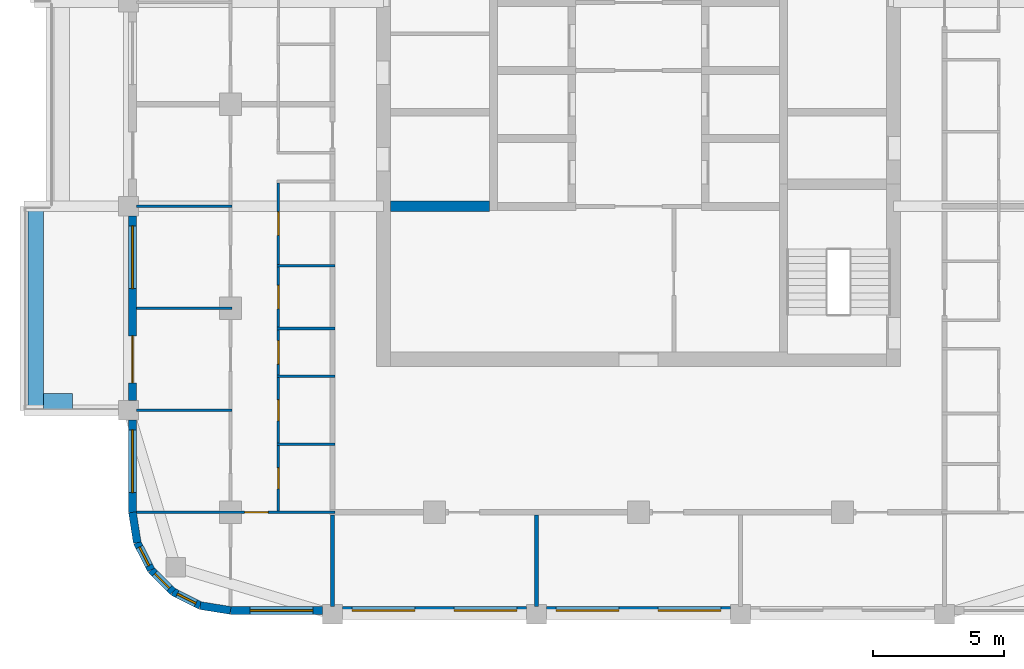
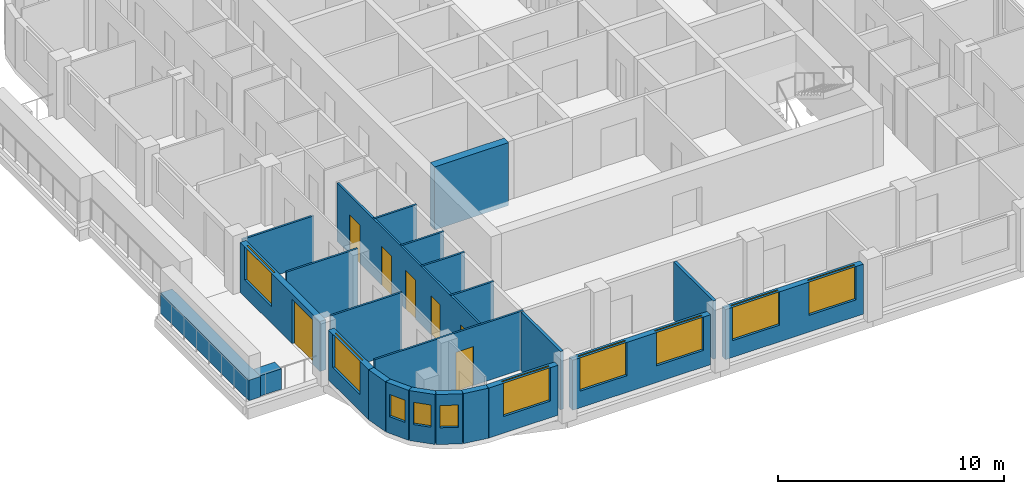
# One storey, part 2 of 13: 24 walls, 10 windows, 7 doors, 17 openings.
"""IFC4 building model written with IfcOpenShell, lengths in metres."""

import ifcopenshell
import ifcopenshell.guid

model = None  # the IFC model being written
_history = None  # IfcOwnerHistory: only IFC2X3 demands one
_inside = {}  # id of a spatial element -> (the spatial element, [elements in it])
_under = {}  # id of a project, library or spatial element -> (it, [spatial elements below it])
_declared = {}  # id of a project -> (the project, [libraries it declares])
_typed = {}  # id of a type object -> (the type object, [elements of that type])
_made_of = {}  # id of a material, layer set ... -> (it, [elements and type objects made of it])


def new_model(schema):
    """Start an empty IFC model of exactly this schema.

    Asked for "IFC4X3", IfcOpenShell would pick the latest addendum, in which some entities
    have other attributes; the version numbers below select the first issue.
    IFC2X3 requires an IfcOwnerHistory on every rooted entity: one is made here for all.
    """
    global model, _history
    if schema == "IFC4X3":
        model = ifcopenshell.file(schema_version=(4, 3, 0, 0))
    else:
        model = ifcopenshell.file(schema=schema)
    _inside.clear()
    _under.clear()
    _declared.clear()
    _typed.clear()
    _made_of.clear()
    _history = None
    if model.schema == "IFC2X3":
        org = make("IfcOrganization", Name="unknown")
        user = make(
            "IfcPersonAndOrganization",
            ThePerson=make("IfcPerson", FamilyName="unknown"),
            TheOrganization=org,
        )
        app = make(
            "IfcApplication",
            ApplicationDeveloper=org,
            Version="unknown",
            ApplicationFullName="unknown",
            ApplicationIdentifier="unknown",
        )
        _history = make(
            "IfcOwnerHistory",
            OwningUser=user,
            OwningApplication=app,
            ChangeAction="ADDED",
            CreationDate=0,
        )
    return model


def make(cls, **values):
    """One entity of the class cls with the attributes given. An attribute that is None is left unset."""
    return model.create_entity(
        cls, **{name: value for name, value in values.items() if value is not None}
    )


def rooted(cls, **values):
    """An entity with a GlobalId (a new one), such as an element, a storey or a relation."""
    return make(cls, GlobalId=ifcopenshell.guid.new(), OwnerHistory=_history, **values)


def si_unit(unit_type, name, prefix=None):
    """IfcSIUnit, for example si_unit("LENGTHUNIT", "METRE", prefix="MILLI")."""
    return make("IfcSIUnit", UnitType=unit_type, Prefix=prefix, Name=name)


def assignment(units):
    """IfcUnitAssignment: the units of a project."""
    return None if units is None else make("IfcUnitAssignment", Units=units)


def point(xyz):
    """IfcCartesianPoint."""
    return None if xyz is None else make("IfcCartesianPoint", Coordinates=xyz)


def direction(xyz):
    """IfcDirection."""
    return None if xyz is None else make("IfcDirection", DirectionRatios=xyz)


def frame(location, z_axis=None, x_axis=None):
    """IfcAxis2Placement3D, a coordinate frame: its origin and axes. An axis left out is left unset."""
    return make(
        "IfcAxis2Placement3D",
        Location=point(location),
        Axis=direction(z_axis),
        RefDirection=direction(x_axis),
    )


def frame_2d(location, x_axis=None):
    """IfcAxis2Placement2D, a coordinate frame in the plane: its origin and x axis."""
    return make(
        "IfcAxis2Placement2D", Location=point(location), RefDirection=direction(x_axis)
    )


def origin():
    """The frame at (0, 0, 0) with its axes left unset."""
    return frame((0.0, 0.0, 0.0))


def place(relative_to, where):
    """IfcLocalPlacement: puts the frame where relative to a parent placement (None: the world)."""
    return make(
        "IfcLocalPlacement", PlacementRelTo=relative_to, RelativePlacement=where
    )


def context(
    kind, dimensions, precision=None, world=None, true_north=None, identifier=None
):
    """IfcGeometricRepresentationContext, for example the 3D "Model" context."""
    return make(
        "IfcGeometricRepresentationContext",
        ContextIdentifier=identifier,
        ContextType=kind,
        CoordinateSpaceDimension=dimensions,
        Precision=precision,
        WorldCoordinateSystem=world,
        TrueNorth=true_north,
    )


def subcontext(parent, identifier, kind, view, scale=None):
    """IfcGeometricRepresentationSubContext, for example "Body" below "Model"."""
    return make(
        "IfcGeometricRepresentationSubContext",
        ContextIdentifier=identifier,
        ContextType=kind,
        ParentContext=parent,
        TargetScale=scale,
        TargetView=view,
    )


def project(units=None, contexts=None):
    """IfcProject with its units and contexts."""
    return rooted(
        "IfcProject",
        Name="project",
        RepresentationContexts=contexts,
        UnitsInContext=assignment(units),
    )


def spatial(cls, under=None, at=None, **own):
    """A site, building, storey or space (cls), placed at a placement, below another one or the project."""
    s = rooted(cls, ObjectPlacement=at, **own)
    if under is not None:
        _under.setdefault(under.id(), (under, []))[1].append(s)
    return s


def profile(cls, at=None, kind="AREA", **sizes):
    """A parametric profile (cls). Its sizes go by their IFC names, for example OverallWidth=200.0."""
    return make(cls, ProfileType=kind, Position=at, **sizes)


def rectangle(**sizes):
    """IfcRectangleProfileDef."""
    return profile("IfcRectangleProfileDef", **sizes)


def extrude(swept, where, along, depth):
    """IfcExtrudedAreaSolid: the profile swept, set in the frame where, extruded along a direction by depth."""
    return make(
        "IfcExtrudedAreaSolid",
        SweptArea=swept,
        Position=where,
        ExtrudedDirection=direction(along),
        Depth=depth,
    )


def shape(context_of_items, identifier, shape_type, items):
    """IfcShapeRepresentation: the items that make up one representation, for example the "Body"."""
    return make(
        "IfcShapeRepresentation",
        ContextOfItems=context_of_items,
        RepresentationIdentifier=identifier,
        RepresentationType=shape_type,
        Items=items,
    )


def material(Name=None, Category=None):
    """IfcMaterial."""
    return make("IfcMaterial", Name=Name, Category=Category)


def layer(
    of_material, thickness, ventilated=None, Name=None, Category=None, Priority=None
):
    """IfcMaterialLayer: one layer of a wall or slab, of a material (None: an air gap)."""
    return make(
        "IfcMaterialLayer",
        Material=of_material,
        LayerThickness=thickness,
        IsVentilated=ventilated,
        Name=Name,
        Category=Category,
        Priority=Priority,
    )


def layer_set(layers, Name=None):
    """IfcMaterialLayerSet."""
    return make("IfcMaterialLayerSet", MaterialLayers=layers, LayerSetName=Name)


def made_of(thing, what):
    """Note that an element or type object is made of a material, layer set ...; save() writes the relation."""
    if what is not None:
        _made_of.setdefault(what.id(), (what, []))[1].append(thing)
    return thing


def type_object(cls, material=None, **own):
    """A type object (cls), such as IfcWallType, which elements share."""
    return made_of(rooted(cls, **own), material)


def element(
    cls,
    number,
    at=None,
    inside=None,
    cuts=None,
    type_object=None,
    material=None,
    context=None,
    identifier="Body",
    shape_type=None,
    held_by="IfcProductDefinitionShape",
    body=None,
    shapes=None,
    **own,
):
    """One element of the class cls, such as IfcWall. Its Tag is "e" and its number.

    at: its placement. inside: the storey or other place that contains it. cuts: it is an
    opening in that element (IfcRelVoidsElement). A single representation is given by context,
    identifier, shape_type and body (its items); several are given by shapes. held_by: the class
    of the entity that holds the representations. save() writes the other relations.
    """
    e = rooted(cls, Tag="e%d" % number, ObjectPlacement=at, **own)
    if body is not None:
        shapes = [shape(context, identifier, shape_type, body)]
    if shapes is not None:
        e.Representation = make(held_by, Representations=shapes)
    if inside is not None:
        _inside.setdefault(inside.id(), (inside, []))[1].append(e)
    if cuts is not None:
        rooted(
            "IfcRelVoidsElement", RelatingBuildingElement=cuts, RelatedOpeningElement=e
        )
    if type_object is not None:
        _typed.setdefault(type_object.id(), (type_object, []))[1].append(e)
    return made_of(e, material)


def fill(opening, filler):
    """IfcRelFillsElement: the door or window that sits in an opening."""
    return rooted(
        "IfcRelFillsElement",
        RelatingOpeningElement=opening,
        RelatedBuildingElement=filler,
    )


def aggregate(whole, parts):
    """IfcRelAggregates: a whole, such as a stair, and the parts it consists of."""
    return rooted("IfcRelAggregates", RelatingObject=whole, RelatedObjects=parts)


def save(model, path):
    """Write the relations noted so far, then the file.

    IfcRelAggregates (storeys below a building ...), IfcRelContainedInSpatialStructure (elements
    in a storey), IfcRelDefinesByType, IfcRelAssociatesMaterial and IfcRelDeclares: one each for
    every whole, place, type object, material and project.
    """
    for whole, parts in _under.values():
        aggregate(whole, parts)
    for where, things in _inside.values():
        rooted(
            "IfcRelContainedInSpatialStructure",
            RelatedElements=things,
            RelatingStructure=where,
        )
    for kind, things in _typed.values():
        rooted("IfcRelDefinesByType", RelatedObjects=things, RelatingType=kind)
    for what, things in _made_of.values():
        rooted("IfcRelAssociatesMaterial", RelatedObjects=things, RelatingMaterial=what)
    for by, libraries in _declared.values():
        rooted("IfcRelDeclares", RelatingContext=by, RelatedDefinitions=libraries)
    model.write(path)


model = new_model("IFC4")

# Units and contexts
model_context = context("Model", 3, precision=1e-05, world=origin(), true_north=direction((0.0, 1.0)))
body_context = subcontext(model_context, "Body", "Model", "MODEL_VIEW")
ifc_project = project(units=[si_unit("LENGTHUNIT", "METRE"), si_unit("AREAUNIT", "SQUARE_METRE"), si_unit("VOLUMEUNIT", "CUBIC_METRE"), si_unit("PLANEANGLEUNIT", "RADIAN"), si_unit("MASSUNIT", "GRAM", prefix="KILO")], contexts=[model_context])

# Site, building, storey
site_placement = place(None, origin())
site = spatial("IfcSite", under=ifc_project, at=site_placement, CompositionType="ELEMENT")
building_placement = place(site_placement, origin())
building = spatial("IfcBuilding", under=site, at=building_placement, Name="Ludao Terraces", CompositionType="ELEMENT")
storey_placement = place(building_placement, frame((0.0, 0.0, 186.0)))
storey = spatial("IfcBuildingStorey", under=building, at=storey_placement, Name="L50", CompositionType="ELEMENT", Elevation=186.0)

# Walls
ifc_material_1 = material(Name="Concrete C40", Category="concrete")
ifc_layer_1 = layer(ifc_material_1, 0.60009765625)
ifc_layer_set_1 = layer_set([ifc_layer_1], Name="ENV Planter trough 600")
wall_type_1 = type_object("IfcWallType", Name="ENV Planter trough 600", PredefinedType="USERDEFINED", material=ifc_layer_set_1)
wall_1_placement = place(storey_placement, frame((61.949951171875, 53.300048828125, 0.0), z_axis=(0.0, 0.0, 1.0), x_axis=(0.0, 1.0, 0.0)))
element("IfcWall", 1, at=wall_1_placement, inside=storey, type_object=wall_type_1, Name="PL-L50-W1", ObjectType="PLANTER", PredefinedType="USERDEFINED", context=body_context, shape_type="SweptSolid", body=[
    extrude(rectangle(XDim=7.800048828125, YDim=0.60009765625, at=frame_2d((3.89990234375, 0.0))), origin(), (0.0, 0.0, 1.0), 1.10009765625),
])
wall_2_placement = place(storey_placement, frame((62.25, 53.64990234375, 0.0), z_axis=(0.0, 0.0, 1.0), x_axis=(1.0, 0.0, 0.0)))
element("IfcWall", 2, at=wall_2_placement, inside=storey, type_object=wall_type_1, Name="PL-L50-W1-SA", ObjectType="PLANTER", PredefinedType="USERDEFINED", context=body_context, shape_type="SweptSolid", body=[
    extrude(rectangle(XDim=1.10009765625, YDim=0.60009765625, at=frame_2d((0.550048828125, 0.0))), origin(), (0.0, 0.0, 1.0), 1.10009765625),
])

# Wall, opening, window
ifc_material_2 = material(Name="Granite cladding", Category="masonry")
ifc_layer_2 = layer(ifc_material_2, 0.0400390625, Category="stone")
ifc_material_3 = material(Name="Mineral wool")
ifc_layer_3 = layer(ifc_material_3, 0.06005859375)
ifc_layer_4 = layer(ifc_material_1, 0.199951171875, Category="concrete")
ifc_layer_set_2 = layer_set([ifc_layer_2, ifc_layer_3, ifc_layer_4], Name="ENV Stone-clad wall 300")
wall_type_2 = type_object("IfcWallType", Name="ENV Stone-clad wall 300", PredefinedType="SOLIDWALL", material=ifc_layer_set_2)
wall_3_placement = place(storey_placement, frame((69.39990234375, 45.64990234375, 0.0), z_axis=(0.0, 0.0, 1.0), x_axis=(1.0, 0.0, 0.0)))
wall_3 = element("IfcWall", 3, at=wall_3_placement, inside=storey, type_object=wall_type_2, Name="EW-L50-S1", PredefinedType="SOLIDWALL", context=body_context, shape_type="SweptSolid", body=[
    extrude(rectangle(XDim=3.525146484375, YDim=0.300048828125, at=frame_2d((1.7626953125, 0.0))), origin(), (0.0, 0.0, 1.0), 2.699951171875),
])
opening_1_placement = place(wall_3_placement, frame((0.75, 0.0, 0.89990234375)))
opening_1 = element("IfcOpeningElement", 4, at=opening_1_placement, cuts=wall_3, Name="Opening W1", PredefinedType="OPENING", context=body_context, shape_type="SweptSolid", body=[
    extrude(rectangle(XDim=2.39990234375, YDim=1.800048828125, at=frame_2d((1.199951171875, 0.89990234375))), frame((0.0, 0.16015625, 0.0), z_axis=(0.0, -1.0, 0.0), x_axis=(1.0, 0.0, 0.0)), (0.0, 0.0, 1.0), 0.320068359375),
])
ifc_material_4 = material(Name="Clear glass in aluminium frame", Category="aluminium")
ifc_layer_5 = layer(ifc_material_4, 0.06005859375)
ifc_layer_set_3 = layer_set([ifc_layer_5], Name="ENV Window W1 2400x1800")
window_type_1 = type_object("IfcWindowType", Name="ENV Window W1 2400x1800", PartitioningType="DOUBLE_PANEL_VERTICAL", PredefinedType="WINDOW", material=ifc_layer_set_3)
window_1_placement = place(opening_1_placement, origin())
window_1 = element("IfcWindow", 5, at=window_1_placement, inside=storey, type_object=window_type_1, Name="W-L50-S1-1", OverallHeight=1.800048828125, OverallWidth=2.39990234375, PartitioningType="DOUBLE_PANEL_VERTICAL", PredefinedType="WINDOW", context=body_context, shape_type="SweptSolid", body=[
    extrude(rectangle(XDim=2.39990234375, YDim=1.800048828125, at=frame_2d((1.199951171875, 0.89990234375))), frame((0.0, 0.030029296875, 0.0), z_axis=(0.0, -1.0, 0.0), x_axis=(1.0, 0.0, 0.0)), (0.0, 0.0, 1.0), 0.06005859375),
])
fill(opening_1, window_1)

# Wall, openings, windows
wall_4_placement = place(storey_placement, frame((73.675048828125, 45.64990234375, 0.0), z_axis=(0.0, 0.0, 1.0), x_axis=(1.0, 0.0, 0.0)))
wall_4 = element("IfcWall", 6, at=wall_4_placement, inside=storey, type_object=wall_type_2, Name="EW-L50-S2", PredefinedType="SOLIDWALL", context=body_context, shape_type="SweptSolid", body=[
    extrude(rectangle(XDim=7.050048828125, YDim=0.300048828125, at=frame_2d((3.52490234375, 0.0))), origin(), (0.0, 0.0, 1.0), 2.699951171875),
])
opening_2_placement = place(wall_4_placement, frame((0.375, 0.0, 0.89990234375)))
opening_2 = element("IfcOpeningElement", 7, at=opening_2_placement, cuts=wall_4, Name="Opening W1", PredefinedType="OPENING", context=body_context, shape_type="SweptSolid", body=[
    extrude(rectangle(XDim=2.39990234375, YDim=1.800048828125, at=frame_2d((1.199951171875, 0.89990234375))), frame((0.0, 0.16015625, 0.0), z_axis=(0.0, -1.0, 0.0), x_axis=(1.0, 0.0, 0.0)), (0.0, 0.0, 1.0), 0.320068359375),
])
opening_3_placement = place(wall_4_placement, frame((4.27490234375, 0.0, 0.89990234375)))
opening_3 = element("IfcOpeningElement", 8, at=opening_3_placement, cuts=wall_4, Name="Opening W1", PredefinedType="OPENING", context=body_context, shape_type="SweptSolid", body=[
    extrude(rectangle(XDim=2.39990234375, YDim=1.800048828125, at=frame_2d((1.199951171875, 0.89990234375))), frame((0.0, 0.16015625, 0.0), z_axis=(0.0, -1.0, 0.0), x_axis=(1.0, 0.0, 0.0)), (0.0, 0.0, 1.0), 0.320068359375),
])
window_2_placement = place(opening_2_placement, origin())
window_2 = element("IfcWindow", 9, at=window_2_placement, inside=storey, type_object=window_type_1, Name="W-L50-S2-1", OverallHeight=1.800048828125, OverallWidth=2.39990234375, PartitioningType="DOUBLE_PANEL_VERTICAL", PredefinedType="WINDOW", context=body_context, shape_type="SweptSolid", body=[
    extrude(rectangle(XDim=2.39990234375, YDim=1.800048828125, at=frame_2d((1.199951171875, 0.89990234375))), frame((0.0, 0.030029296875, 0.0), z_axis=(0.0, -1.0, 0.0), x_axis=(1.0, 0.0, 0.0)), (0.0, 0.0, 1.0), 0.06005859375),
])
fill(opening_2, window_2)
window_3_placement = place(opening_3_placement, origin())
window_3 = element("IfcWindow", 10, at=window_3_placement, inside=storey, type_object=window_type_1, Name="W-L50-S2-2", OverallHeight=1.800048828125, OverallWidth=2.39990234375, PartitioningType="DOUBLE_PANEL_VERTICAL", PredefinedType="WINDOW", context=body_context, shape_type="SweptSolid", body=[
    extrude(rectangle(XDim=2.39990234375, YDim=1.800048828125, at=frame_2d((1.199951171875, 0.89990234375))), frame((0.0, 0.030029296875, 0.0), z_axis=(0.0, -1.0, 0.0), x_axis=(1.0, 0.0, 0.0)), (0.0, 0.0, 1.0), 0.06005859375),
])
fill(opening_3, window_3)

wall_5_placement = place(storey_placement, frame((81.47509765625, 45.64990234375, 0.0), z_axis=(0.0, 0.0, 1.0), x_axis=(1.0, 0.0, 0.0)))
wall_5 = element("IfcWall", 11, at=wall_5_placement, inside=storey, type_object=wall_type_2, Name="EW-L50-S3", PredefinedType="SOLIDWALL", context=body_context, shape_type="SweptSolid", body=[
    extrude(rectangle(XDim=7.0498046875, YDim=0.300048828125, at=frame_2d((3.52490234375, 0.0))), origin(), (0.0, 0.0, 1.0), 2.699951171875),
])
opening_4_placement = place(wall_5_placement, frame((0.375, 0.0, 0.89990234375)))
opening_4 = element("IfcOpeningElement", 12, at=opening_4_placement, cuts=wall_5, Name="Opening W1", PredefinedType="OPENING", context=body_context, shape_type="SweptSolid", body=[
    extrude(rectangle(XDim=2.39990234375, YDim=1.800048828125, at=frame_2d((1.199951171875, 0.89990234375))), frame((0.0, 0.16015625, 0.0), z_axis=(0.0, -1.0, 0.0), x_axis=(1.0, 0.0, 0.0)), (0.0, 0.0, 1.0), 0.320068359375),
])
opening_5_placement = place(wall_5_placement, frame((4.27490234375, 0.0, 0.89990234375)))
opening_5 = element("IfcOpeningElement", 13, at=opening_5_placement, cuts=wall_5, Name="Opening W1", PredefinedType="OPENING", context=body_context, shape_type="SweptSolid", body=[
    extrude(rectangle(XDim=2.39990234375, YDim=1.800048828125, at=frame_2d((1.199951171875, 0.89990234375))), frame((0.0, 0.16015625, 0.0), z_axis=(0.0, -1.0, 0.0), x_axis=(1.0, 0.0, 0.0)), (0.0, 0.0, 1.0), 0.320068359375),
])
window_4_placement = place(opening_4_placement, origin())
window_4 = element("IfcWindow", 14, at=window_4_placement, inside=storey, type_object=window_type_1, Name="W-L50-S3-1", OverallHeight=1.800048828125, OverallWidth=2.39990234375, PartitioningType="DOUBLE_PANEL_VERTICAL", PredefinedType="WINDOW", context=body_context, shape_type="SweptSolid", body=[
    extrude(rectangle(XDim=2.39990234375, YDim=1.800048828125, at=frame_2d((1.199951171875, 0.89990234375))), frame((0.0, 0.030029296875, 0.0), z_axis=(0.0, -1.0, 0.0), x_axis=(1.0, 0.0, 0.0)), (0.0, 0.0, 1.0), 0.06005859375),
])
fill(opening_4, window_4)
window_5_placement = place(opening_5_placement, origin())
window_5 = element("IfcWindow", 15, at=window_5_placement, inside=storey, type_object=window_type_1, Name="W-L50-S3-2", OverallHeight=1.800048828125, OverallWidth=2.39990234375, PartitioningType="DOUBLE_PANEL_VERTICAL", PredefinedType="WINDOW", context=body_context, shape_type="SweptSolid", body=[
    extrude(rectangle(XDim=2.39990234375, YDim=1.800048828125, at=frame_2d((1.199951171875, 0.89990234375))), frame((0.0, 0.030029296875, 0.0), z_axis=(0.0, -1.0, 0.0), x_axis=(1.0, 0.0, 0.0)), (0.0, 0.0, 1.0), 0.06005859375),
])
fill(opening_5, window_5)

# Wall, opening, window
wall_6_placement = place(storey_placement, frame((65.64990234375, 49.39990234375, 0.0), z_axis=(0.0, 0.0, 1.0), x_axis=(0.0, 1.0, 0.0)))
wall_6 = element("IfcWall", 16, at=wall_6_placement, inside=storey, type_object=wall_type_2, Name="EW-L50-W1", PredefinedType="SOLIDWALL", context=body_context, shape_type="SweptSolid", body=[
    extrude(rectangle(XDim=3.525146484375, YDim=0.300048828125, at=frame_2d((1.7626953125, 0.0))), origin(), (0.0, 0.0, 1.0), 2.699951171875),
])
opening_6_placement = place(wall_6_placement, frame((0.75, 0.0, 0.89990234375)))
opening_6 = element("IfcOpeningElement", 17, at=opening_6_placement, cuts=wall_6, Name="Opening W1", PredefinedType="OPENING", context=body_context, shape_type="SweptSolid", body=[
    extrude(rectangle(XDim=2.39990234375, YDim=1.800048828125, at=frame_2d((1.199951171875, 0.89990234375))), frame((0.0, 0.16015625, 0.0), z_axis=(0.0, -1.0, 0.0), x_axis=(1.0, 0.0, 0.0)), (0.0, 0.0, 1.0), 0.320068359375),
])
window_6_placement = place(opening_6_placement, origin())
window_6 = element("IfcWindow", 18, at=window_6_placement, inside=storey, type_object=window_type_1, Name="W-L50-W1-1", OverallHeight=1.800048828125, OverallWidth=2.39990234375, PartitioningType="DOUBLE_PANEL_VERTICAL", PredefinedType="WINDOW", context=body_context, shape_type="SweptSolid", body=[
    extrude(rectangle(XDim=2.39990234375, YDim=1.800048828125, at=frame_2d((1.199951171875, 0.89990234375))), frame((0.0, 0.030029296875, 0.0), z_axis=(0.0, -1.0, 0.0), x_axis=(1.0, 0.0, 0.0)), (0.0, 0.0, 1.0), 0.06005859375),
])
fill(opening_6, window_6)

# Wall, openings, door, window
wall_7_placement = place(storey_placement, frame((65.64990234375, 53.675048828125, 0.0), z_axis=(0.0, 0.0, 1.0), x_axis=(0.0, 1.0, 0.0)))
wall_7 = element("IfcWall", 19, at=wall_7_placement, inside=storey, type_object=wall_type_2, Name="EW-L50-W2", PredefinedType="SOLIDWALL", context=body_context, shape_type="SweptSolid", body=[
    extrude(rectangle(XDim=7.050048828125, YDim=0.300048828125, at=frame_2d((3.52490234375, 0.0))), origin(), (0.0, 0.0, 1.0), 2.699951171875),
])
opening_7_placement = place(wall_7_placement, frame((0.675048828125, 0.0, 0.0)))
opening_7 = element("IfcOpeningElement", 20, at=opening_7_placement, cuts=wall_7, Name="Opening BD", PredefinedType="OPENING", context=body_context, shape_type="SweptSolid", body=[
    extrude(rectangle(XDim=1.800048828125, YDim=2.39990234375, at=frame_2d((0.89990234375, 1.199951171875))), frame((0.0, 0.16015625, 0.0), z_axis=(0.0, -1.0, 0.0), x_axis=(1.0, 0.0, 0.0)), (0.0, 0.0, 1.0), 0.320068359375),
])
opening_8_placement = place(wall_7_placement, frame((4.27490234375, 0.0, 0.89990234375)))
opening_8 = element("IfcOpeningElement", 21, at=opening_8_placement, cuts=wall_7, Name="Opening W1", PredefinedType="OPENING", context=body_context, shape_type="SweptSolid", body=[
    extrude(rectangle(XDim=2.39990234375, YDim=1.800048828125, at=frame_2d((1.199951171875, 0.89990234375))), frame((0.0, 0.16015625, 0.0), z_axis=(0.0, -1.0, 0.0), x_axis=(1.0, 0.0, 0.0)), (0.0, 0.0, 1.0), 0.320068359375),
])
ifc_material_5 = material(Name="Aluminium glazed door", Category="aluminium")
ifc_layer_6 = layer(ifc_material_5, 0.06005859375)
ifc_layer_set_4 = layer_set([ifc_layer_6], Name="ENV Balcony door BD 1800x2400")
door_type_1 = type_object("IfcDoorType", Name="ENV Balcony door BD 1800x2400", OperationType="DOUBLE_DOOR_SINGLE_SWING", PredefinedType="DOOR", material=ifc_layer_set_4)
door_1_placement = place(opening_7_placement, origin())
door_1 = element("IfcDoor", 22, at=door_1_placement, inside=storey, type_object=door_type_1, Name="BD-L50-W2-1", OperationType="DOUBLE_DOOR_SINGLE_SWING", OverallHeight=2.39990234375, OverallWidth=1.800048828125, PredefinedType="DOOR", context=body_context, shape_type="SweptSolid", body=[
    extrude(rectangle(XDim=1.800048828125, YDim=2.39990234375, at=frame_2d((0.89990234375, 1.199951171875))), frame((0.0, 0.02490234375, 0.0), z_axis=(0.0, -1.0, 0.0), x_axis=(1.0, 0.0, 0.0)), (0.0, 0.0, 1.0), 0.050048828125),
])
fill(opening_7, door_1)
window_7_placement = place(opening_8_placement, origin())
window_7 = element("IfcWindow", 23, at=window_7_placement, inside=storey, type_object=window_type_1, Name="W-L50-W2-2", OverallHeight=1.800048828125, OverallWidth=2.39990234375, PartitioningType="DOUBLE_PANEL_VERTICAL", PredefinedType="WINDOW", context=body_context, shape_type="SweptSolid", body=[
    extrude(rectangle(XDim=2.39990234375, YDim=1.800048828125, at=frame_2d((1.199951171875, 0.89990234375))), frame((0.0, 0.030029296875, 0.0), z_axis=(0.0, -1.0, 0.0), x_axis=(1.0, 0.0, 0.0)), (0.0, 0.0, 1.0), 0.06005859375),
])
fill(opening_8, window_7)

# Wall
wall_8_placement = place(storey_placement, frame((65.64990234375, 49.39990234375, 0.0), z_axis=(0.0, 0.0, 1.0), x_axis=(0.156496880861, -0.987678452879, 0.0)))
element("IfcWall", 24, at=wall_8_placement, inside=storey, type_object=wall_type_2, Name="EW-L50-SW1", PredefinedType="SOLIDWALL", context=body_context, shape_type="SweptSolid", body=[
    extrude(rectangle(XDim=1.173095703125, YDim=0.300048828125, at=frame_2d((0.58642578125, 0.0))), origin(), (0.0, 0.0, 1.0), 2.699951171875),
])

# Wall, opening, window
wall_9_placement = place(storey_placement, frame((65.83349609375, 48.2412109375, 0.0), z_axis=(0.0, 0.0, 1.0), x_axis=(0.454025524128, -0.890988677504, 0.0)))
wall_9 = element("IfcWall", 25, at=wall_9_placement, inside=storey, type_object=wall_type_2, Name="EW-L50-SW2", PredefinedType="SOLIDWALL", context=body_context, shape_type="SweptSolid", body=[
    extrude(rectangle(XDim=1.17333984375, YDim=0.300048828125, at=frame_2d((0.586669921875, 0.0))), origin(), (0.0, 0.0, 1.0), 2.699951171875),
])
opening_9_placement = place(wall_9_placement, frame((0.1865234375, 0.0, 0.89990234375)))
opening_9 = element("IfcOpeningElement", 26, at=opening_9_placement, cuts=wall_9, Name="Opening W3", PredefinedType="OPENING", context=body_context, shape_type="SweptSolid", body=[
    extrude(rectangle(XDim=0.800048828125, YDim=1.199951171875, at=frame_2d((0.39990234375, 0.60009765625))), frame((0.0, 0.16015625, 0.0), z_axis=(0.0, -1.0, 0.0), x_axis=(1.0, 0.0, 0.0)), (0.0, 0.0, 1.0), 0.320068359375),
])
ifc_layer_7 = layer(ifc_material_4, 0.06005859375)
ifc_layer_set_5 = layer_set([ifc_layer_7], Name="ENV Window W3 800x1200")
window_type_2 = type_object("IfcWindowType", Name="ENV Window W3 800x1200", PartitioningType="SINGLE_PANEL", PredefinedType="WINDOW", material=ifc_layer_set_5)
window_8_placement = place(opening_9_placement, origin())
window_8 = element("IfcWindow", 27, at=window_8_placement, inside=storey, type_object=window_type_2, Name="W-L50-SW2", OverallHeight=1.199951171875, OverallWidth=0.800048828125, PartitioningType="SINGLE_PANEL", PredefinedType="WINDOW", context=body_context, shape_type="SweptSolid", body=[
    extrude(rectangle(XDim=0.800048828125, YDim=1.199951171875, at=frame_2d((0.39990234375, 0.60009765625))), frame((0.0, 0.030029296875, 0.0), z_axis=(0.0, -1.0, 0.0), x_axis=(1.0, 0.0, 0.0)), (0.0, 0.0, 1.0), 0.06005859375),
])
fill(opening_9, window_8)

wall_10_placement = place(storey_placement, frame((66.3662109375, 47.19580078125, 0.0), z_axis=(0.0, 0.0, 1.0), x_axis=(0.707106781187, -0.707106781187, 0.0)))
wall_10 = element("IfcWall", 28, at=wall_10_placement, inside=storey, type_object=wall_type_2, Name="EW-L50-SW3", PredefinedType="SOLIDWALL", context=body_context, shape_type="SweptSolid", body=[
    extrude(rectangle(XDim=1.173095703125, YDim=0.300048828125, at=frame_2d((0.58642578125, 0.0))), origin(), (0.0, 0.0, 1.0), 2.699951171875),
])
opening_10_placement = place(wall_10_placement, frame((0.1865234375, 0.0, 0.89990234375)))
opening_10 = element("IfcOpeningElement", 29, at=opening_10_placement, cuts=wall_10, Name="Opening W3", PredefinedType="OPENING", context=body_context, shape_type="SweptSolid", body=[
    extrude(rectangle(XDim=0.800048828125, YDim=1.199951171875, at=frame_2d((0.39990234375, 0.60009765625))), frame((0.0, 0.16015625, 0.0), z_axis=(0.0, -1.0, 0.0), x_axis=(1.0, 0.0, 0.0)), (0.0, 0.0, 1.0), 0.320068359375),
])
window_9_placement = place(opening_10_placement, origin())
window_9 = element("IfcWindow", 30, at=window_9_placement, inside=storey, type_object=window_type_2, Name="W-L50-SW3", OverallHeight=1.199951171875, OverallWidth=0.800048828125, PartitioningType="SINGLE_PANEL", PredefinedType="WINDOW", context=body_context, shape_type="SweptSolid", body=[
    extrude(rectangle(XDim=0.800048828125, YDim=1.199951171875, at=frame_2d((0.39990234375, 0.60009765625))), frame((0.0, 0.030029296875, 0.0), z_axis=(0.0, -1.0, 0.0), x_axis=(1.0, 0.0, 0.0)), (0.0, 0.0, 1.0), 0.06005859375),
])
fill(opening_10, window_9)

wall_11_placement = place(storey_placement, frame((67.19580078125, 46.3662109375, 0.0), z_axis=(0.0, 0.0, 1.0), x_axis=(0.890988677504, -0.454025524128, 0.0)))
wall_11 = element("IfcWall", 31, at=wall_11_placement, inside=storey, type_object=wall_type_2, Name="EW-L50-SW4", PredefinedType="SOLIDWALL", context=body_context, shape_type="SweptSolid", body=[
    extrude(rectangle(XDim=1.17333984375, YDim=0.300048828125, at=frame_2d((0.586669921875, 0.0))), origin(), (0.0, 0.0, 1.0), 2.699951171875),
])
opening_11_placement = place(wall_11_placement, frame((0.1865234375, 0.0, 0.89990234375)))
opening_11 = element("IfcOpeningElement", 32, at=opening_11_placement, cuts=wall_11, Name="Opening W3", PredefinedType="OPENING", context=body_context, shape_type="SweptSolid", body=[
    extrude(rectangle(XDim=0.800048828125, YDim=1.199951171875, at=frame_2d((0.39990234375, 0.60009765625))), frame((0.0, 0.16015625, 0.0), z_axis=(0.0, -1.0, 0.0), x_axis=(1.0, 0.0, 0.0)), (0.0, 0.0, 1.0), 0.320068359375),
])
window_10_placement = place(opening_11_placement, origin())
window_10 = element("IfcWindow", 33, at=window_10_placement, inside=storey, type_object=window_type_2, Name="W-L50-SW4", OverallHeight=1.199951171875, OverallWidth=0.800048828125, PartitioningType="SINGLE_PANEL", PredefinedType="WINDOW", context=body_context, shape_type="SweptSolid", body=[
    extrude(rectangle(XDim=0.800048828125, YDim=1.199951171875, at=frame_2d((0.39990234375, 0.60009765625))), frame((0.0, 0.030029296875, 0.0), z_axis=(0.0, -1.0, 0.0), x_axis=(1.0, 0.0, 0.0)), (0.0, 0.0, 1.0), 0.06005859375),
])
fill(opening_11, window_10)

# Wall
wall_12_placement = place(storey_placement, frame((68.2412109375, 45.83349609375, 0.0), z_axis=(0.0, 0.0, 1.0), x_axis=(0.987678452879, -0.156496880861, 0.0)))
element("IfcWall", 34, at=wall_12_placement, inside=storey, type_object=wall_type_2, Name="EW-L50-SW5", PredefinedType="SOLIDWALL", context=body_context, shape_type="SweptSolid", body=[
    extrude(rectangle(XDim=1.173095703125, YDim=0.300048828125, at=frame_2d((0.58642578125, 0.0))), origin(), (0.0, 0.0, 1.0), 2.699951171875),
])

# Wall, opening, door
ifc_material_6 = material(Name="Gypsum plasterboard", Category="gypsum")
ifc_layer_8 = layer(ifc_material_6, 0.012451171875, Category="gypsum")
ifc_layer_9 = layer(ifc_material_3, 0.06005859375, Name="insulation")
ifc_material_7 = material(Name="Steel Q235", Category="steel")
ifc_layer_10 = layer(ifc_material_7, 0.014892578125, Name="stud")
ifc_layer_11 = layer(ifc_material_6, 0.012451171875, Category="gypsum")
ifc_layer_set_6 = layer_set([ifc_layer_8, ifc_layer_9, ifc_layer_10, ifc_layer_11], Name="INT Partition 100")
wall_type_3 = type_object("IfcWallType", Name="INT Partition 100", PredefinedType="PARTITIONING", material=ifc_layer_set_6)
wall_13_placement = place(storey_placement, frame((65.800048828125, 49.39990234375, 0.0), z_axis=(0.0, 0.0, 1.0), x_axis=(1.0, 0.0, 0.0)))
wall_13 = element("IfcWall", 35, at=wall_13_placement, inside=storey, type_object=wall_type_3, Name="PW-L50-PW000", PredefinedType="PARTITIONING", context=body_context, shape_type="SweptSolid", body=[
    extrude(rectangle(XDim=7.60009765625, YDim=0.10009765625, at=frame_2d((3.800048828125, 0.0))), origin(), (0.0, 0.0, 1.0), 3.14990234375),
])
opening_12_placement = place(wall_13_placement, frame((4.139892578125, 0.0, 0.0)))
opening_12 = element("IfcOpeningElement", 36, at=opening_12_placement, cuts=wall_13, Name="Opening R18-003", PredefinedType="OPENING", context=body_context, shape_type="SweptSolid", body=[
    extrude(rectangle(XDim=0.89990234375, YDim=2.10009765625, at=frame_2d((0.449951171875, 1.050048828125))), frame((0.0, 0.06005859375, 0.0), z_axis=(0.0, -1.0, 0.0), x_axis=(1.0, 0.0, 0.0)), (0.0, 0.0, 1.0), 0.1201171875),
])
ifc_material_8 = material(Name="Timber door leaf", Category="wood")
door_type_2 = type_object("IfcDoorType", Name="INT Room door 900", OperationType="SINGLE_SWING_LEFT", PredefinedType="DOOR", material=ifc_material_8)
door_2_placement = place(opening_12_placement, origin())
door_2 = element("IfcDoor", 37, at=door_2_placement, inside=storey, type_object=door_type_2, Name="DOOR 003", OperationType="SINGLE_SWING_RIGHT", OverallHeight=2.10009765625, OverallWidth=0.89990234375, PredefinedType="DOOR", context=body_context, shape_type="SweptSolid", body=[
    extrude(rectangle(XDim=0.89990234375, YDim=2.10009765625, at=frame_2d((0.449951171875, 1.050048828125))), frame((0.0, 0.02490234375, 0.0), z_axis=(0.0, -1.0, 0.0), x_axis=(1.0, 0.0, 0.0)), (0.0, 0.0, 1.0), 0.050048828125),
])
fill(opening_12, door_2)

# Walls
wall_14_placement = place(storey_placement, frame((71.18017578125, 52.0, 0.0), z_axis=(0.0, 0.0, 1.0), x_axis=(1.0, 0.0, 0.0)))
element("IfcWall", 38, at=wall_14_placement, inside=storey, type_object=wall_type_3, Name="PW-L50-PW004", PredefinedType="PARTITIONING", context=body_context, shape_type="SweptSolid", body=[
    extrude(rectangle(XDim=2.219970703125, YDim=0.10009765625, at=frame_2d((1.10986328125, 0.0))), origin(), (0.0, 0.0, 1.0), 3.14990234375),
])
wall_15_placement = place(storey_placement, frame((65.800048828125, 53.300048828125, 0.0), z_axis=(0.0, 0.0, 1.0), x_axis=(1.0, 0.0, 0.0)))
element("IfcWall", 39, at=wall_15_placement, inside=storey, type_object=wall_type_3, Name="PW-L50-PW006", PredefinedType="PARTITIONING", context=body_context, shape_type="SweptSolid", body=[
    extrude(rectangle(XDim=3.650146484375, YDim=0.10009765625, at=frame_2d((1.8251953125, 0.0))), origin(), (0.0, 0.0, 1.0), 3.14990234375),
])
for number, where, z_axis, x_axis, name in (
    (40, (71.18017578125, 54.60009765625, 0.0), (0.0, 0.0, 1.0), (1.0, 0.0, 0.0), "PW-L50-PW008"),
    (41, (71.18017578125, 56.429931640625, 0.0), (0.0, 0.0, 1.0), (1.0, 0.0, 0.0), "PW-L50-PW010"),
):
    element("IfcWall", number, at=place(storey_placement, frame(where, z_axis=z_axis, x_axis=x_axis)), inside=storey, type_object=wall_type_3, Name=name, PredefinedType="PARTITIONING", context=body_context, shape_type="SweptSolid", body=[
        extrude(rectangle(XDim=2.219970703125, YDim=0.10009765625, at=frame_2d((1.10986328125, 0.0))), origin(), (0.0, 0.0, 1.0), 3.14990234375),
    ])
wall_16_placement = place(storey_placement, frame((65.800048828125, 57.199951171875, 0.0), z_axis=(0.0, 0.0, 1.0), x_axis=(1.0, 0.0, 0.0)))
element("IfcWall", 42, at=wall_16_placement, inside=storey, type_object=wall_type_3, Name="PW-L50-PW012", PredefinedType="PARTITIONING", context=body_context, shape_type="SweptSolid", body=[
    extrude(rectangle(XDim=3.650146484375, YDim=0.10009765625, at=frame_2d((1.8251953125, 0.0))), origin(), (0.0, 0.0, 1.0), 3.14990234375),
])
wall_17_placement = place(storey_placement, frame((71.18017578125, 58.830078125, 0.0), z_axis=(0.0, 0.0, 1.0), x_axis=(1.0, 0.0, 0.0)))
element("IfcWall", 43, at=wall_17_placement, inside=storey, type_object=wall_type_3, Name="PW-L50-PW014", PredefinedType="PARTITIONING", context=body_context, shape_type="SweptSolid", body=[
    extrude(rectangle(XDim=2.219970703125, YDim=0.10009765625, at=frame_2d((1.10986328125, 0.0))), origin(), (0.0, 0.0, 1.0), 3.14990234375),
])
wall_18_placement = place(storey_placement, frame((65.800048828125, 61.10009765625, 0.0), z_axis=(0.0, 0.0, 1.0), x_axis=(1.0, 0.0, 0.0)))
element("IfcWall", 44, at=wall_18_placement, inside=storey, type_object=wall_type_3, Name="PW-L50-PW016", PredefinedType="PARTITIONING", context=body_context, shape_type="SweptSolid", body=[
    extrude(rectangle(XDim=3.650146484375, YDim=0.10009765625, at=frame_2d((1.8251953125, 0.0))), origin(), (0.0, 0.0, 1.0), 2.550048828125),
])

# Wall, openings, doors
wall_19_placement = place(storey_placement, frame((71.22998046875, 49.4501953125, 0.0), z_axis=(0.0, 0.0, 1.0), x_axis=(0.0, 1.0, 0.0)))
wall_19 = element("IfcWall", 45, at=wall_19_placement, inside=storey, type_object=wall_type_3, Name="PW-L50-PW050", PredefinedType="PARTITIONING", context=body_context, shape_type="SweptSolid", body=[
    extrude(rectangle(XDim=12.5498046875, YDim=0.10009765625, at=frame_2d((6.27490234375, 0.0))), origin(), (0.0, 0.0, 1.0), 3.14990234375),
])
opening_13_placement = place(wall_19_placement, frame((0.849853515625, 0.0, 0.0)))
opening_13 = element("IfcOpeningElement", 46, at=opening_13_placement, cuts=wall_19, Name="Opening R18-009", PredefinedType="OPENING", context=body_context, shape_type="SweptSolid", body=[
    extrude(rectangle(XDim=0.800048828125, YDim=2.10009765625, at=frame_2d((0.39990234375, 1.050048828125))), frame((0.0, 0.06005859375, 0.0), z_axis=(0.0, -1.0, 0.0), x_axis=(1.0, 0.0, 0.0)), (0.0, 0.0, 1.0), 0.1201171875),
])
opening_14_placement = place(wall_19_placement, frame((3.449951171875, 0.0, 0.0)))
opening_14 = element("IfcOpeningElement", 47, at=opening_14_placement, cuts=wall_19, Name="Opening R18-013", PredefinedType="OPENING", context=body_context, shape_type="SweptSolid", body=[
    extrude(rectangle(XDim=0.800048828125, YDim=2.10009765625, at=frame_2d((0.39990234375, 1.050048828125))), frame((0.0, 0.06005859375, 0.0), z_axis=(0.0, -1.0, 0.0), x_axis=(1.0, 0.0, 0.0)), (0.0, 0.0, 1.0), 0.1201171875),
])
opening_15_placement = place(wall_19_placement, frame((5.614990234375, 0.0, 0.0)))
opening_15 = element("IfcOpeningElement", 48, at=opening_15_placement, cuts=wall_19, Name="Opening R18-018", PredefinedType="OPENING", context=body_context, shape_type="SweptSolid", body=[
    extrude(rectangle(XDim=0.89990234375, YDim=2.10009765625, at=frame_2d((0.449951171875, 1.050048828125))), frame((0.0, 0.06005859375, 0.0), z_axis=(0.0, -1.0, 0.0), x_axis=(1.0, 0.0, 0.0)), (0.0, 0.0, 1.0), 0.1201171875),
])
opening_16_placement = place(wall_19_placement, frame((7.72998046875, 0.0, 0.0)))
opening_16 = element("IfcOpeningElement", 49, at=opening_16_placement, cuts=wall_19, Name="Opening R18-021", PredefinedType="OPENING", context=body_context, shape_type="SweptSolid", body=[
    extrude(rectangle(XDim=0.89990234375, YDim=2.10009765625, at=frame_2d((0.449951171875, 1.050048828125))), frame((0.0, 0.06005859375, 0.0), z_axis=(0.0, -1.0, 0.0), x_axis=(1.0, 0.0, 0.0)), (0.0, 0.0, 1.0), 0.1201171875),
])
opening_17_placement = place(wall_19_placement, frame((10.539794921875, 0.0, 0.0)))
opening_17 = element("IfcOpeningElement", 50, at=opening_17_placement, cuts=wall_19, Name="Opening R18-027", PredefinedType="OPENING", context=body_context, shape_type="SweptSolid", body=[
    extrude(rectangle(XDim=0.89990234375, YDim=2.10009765625, at=frame_2d((0.449951171875, 1.050048828125))), frame((0.0, 0.06005859375, 0.0), z_axis=(0.0, -1.0, 0.0), x_axis=(1.0, 0.0, 0.0)), (0.0, 0.0, 1.0), 0.1201171875),
])
door_type_3 = type_object("IfcDoorType", Name="INT Bathroom door 900", OperationType="SINGLE_SWING_LEFT", PredefinedType="DOOR", material=ifc_material_8)
door_3_placement = place(opening_15_placement, origin())
door_3 = element("IfcDoor", 51, at=door_3_placement, inside=storey, type_object=door_type_3, Name="DOOR 018", OperationType="SINGLE_SWING_RIGHT", OverallHeight=2.10009765625, OverallWidth=0.89990234375, PredefinedType="DOOR", context=body_context, shape_type="SweptSolid", body=[
    extrude(rectangle(XDim=0.89990234375, YDim=2.10009765625, at=frame_2d((0.449951171875, 1.050048828125))), frame((0.0, 0.02490234375, 0.0), z_axis=(0.0, -1.0, 0.0), x_axis=(1.0, 0.0, 0.0)), (0.0, 0.0, 1.0), 0.050048828125),
])
fill(opening_15, door_3)
door_4_placement = place(opening_16_placement, origin())
door_4 = element("IfcDoor", 52, at=door_4_placement, inside=storey, type_object=door_type_3, Name="DOOR 021", OperationType="SINGLE_SWING_RIGHT", OverallHeight=2.10009765625, OverallWidth=0.89990234375, PredefinedType="DOOR", context=body_context, shape_type="SweptSolid", body=[
    extrude(rectangle(XDim=0.89990234375, YDim=2.10009765625, at=frame_2d((0.449951171875, 1.050048828125))), frame((0.0, 0.02490234375, 0.0), z_axis=(0.0, -1.0, 0.0), x_axis=(1.0, 0.0, 0.0)), (0.0, 0.0, 1.0), 0.050048828125),
])
fill(opening_16, door_4)
door_5_placement = place(opening_17_placement, origin())
door_5 = element("IfcDoor", 53, at=door_5_placement, inside=storey, type_object=door_type_2, Name="DOOR 027", OperationType="SINGLE_SWING_RIGHT", OverallHeight=2.10009765625, OverallWidth=0.89990234375, PredefinedType="DOOR", context=body_context, shape_type="SweptSolid", body=[
    extrude(rectangle(XDim=0.89990234375, YDim=2.10009765625, at=frame_2d((0.449951171875, 1.050048828125))), frame((0.0, 0.02490234375, 0.0), z_axis=(0.0, -1.0, 0.0), x_axis=(1.0, 0.0, 0.0)), (0.0, 0.0, 1.0), 0.050048828125),
])
fill(opening_17, door_5)
door_type_4 = type_object("IfcDoorType", Name="INT Store door 800", OperationType="SINGLE_SWING_LEFT", PredefinedType="DOOR", material=ifc_material_8)
door_6_placement = place(opening_13_placement, origin())
door_6 = element("IfcDoor", 54, at=door_6_placement, inside=storey, type_object=door_type_4, Name="DOOR 009", OperationType="SINGLE_SWING_RIGHT", OverallHeight=2.10009765625, OverallWidth=0.800048828125, PredefinedType="DOOR", context=body_context, shape_type="SweptSolid", body=[
    extrude(rectangle(XDim=0.800048828125, YDim=2.10009765625, at=frame_2d((0.39990234375, 1.050048828125))), frame((0.0, 0.02490234375, 0.0), z_axis=(0.0, -1.0, 0.0), x_axis=(1.0, 0.0, 0.0)), (0.0, 0.0, 1.0), 0.050048828125),
])
fill(opening_13, door_6)
door_7_placement = place(opening_14_placement, origin())
door_7 = element("IfcDoor", 55, at=door_7_placement, inside=storey, type_object=door_type_4, Name="DOOR 013", OperationType="SINGLE_SWING_LEFT", OverallHeight=2.10009765625, OverallWidth=0.800048828125, PredefinedType="DOOR", context=body_context, shape_type="SweptSolid", body=[
    extrude(rectangle(XDim=0.800048828125, YDim=2.10009765625, at=frame_2d((0.39990234375, 1.050048828125))), frame((0.0, 0.02490234375, 0.0), z_axis=(0.0, -1.0, 0.0), x_axis=(1.0, 0.0, 0.0)), (0.0, 0.0, 1.0), 0.050048828125),
])
fill(opening_14, door_7)

# Walls
ifc_material_9 = material(Name="Autoclaved aerated concrete block B06 A3.5", Category="concrete")
ifc_layer_12 = layer(ifc_material_9, 0.14990234375)
ifc_layer_set_7 = layer_set([ifc_layer_12], Name="INT Party wall 150")
wall_type_4 = type_object("IfcWallType", Name="INT Party wall 150", PredefinedType="PARTITIONING", material=ifc_layer_set_7)
for number, where, z_axis, x_axis, name in (
    (56, (73.300048828125, 45.800048828125, 0.0), (0.0, 0.0, 1.0), (0.0, 1.0, 0.0), "PW-L50-PW053"),
    (57, (81.10009765625, 45.800048828125, 0.0), (0.0, 0.0, 1.0), (0.0, 1.0, 0.0), "PW-L50-PW055"),
):
    element("IfcWall", number, at=place(storey_placement, frame(where, z_axis=z_axis, x_axis=x_axis)), inside=storey, type_object=wall_type_4, Name=name, PredefinedType="PARTITIONING", context=body_context, shape_type="SweptSolid", body=[
        extrude(rectangle(XDim=3.5, YDim=0.14990234375, at=frame_2d((1.75, 0.0))), origin(), (0.0, 0.0, 1.0), 3.14990234375),
    ])
ifc_material_10 = material(Name="Concrete C55", Category="concrete")
ifc_layer_13 = layer(ifc_material_10, 0.39990234375)
ifc_layer_set_8 = layer_set([ifc_layer_13], Name="Shaft wall 400 C55")
wall_type_5 = type_object("IfcWallType", Name="Shaft wall 400 C55", PredefinedType="SOLIDWALL", material=ifc_layer_set_8)
wall_20_placement = place(storey_placement, frame((75.52490234375, 61.10009765625, -0.25), z_axis=(0.0, 0.0, 1.0), x_axis=(1.0, 0.0, 0.0)))
element("IfcWall", 58, at=wall_20_placement, inside=storey, type_object=wall_type_5, Name="Core wall L50 hall-W", PredefinedType="SOLIDWALL", context=body_context, shape_type="SweptSolid", body=[
    extrude(rectangle(XDim=3.775146484375, YDim=0.39990234375, at=frame_2d((1.8876953125, 0.0))), origin(), (0.0, 0.0, 1.0), 3.39990234375),
])

save(model, "model.ifc")
